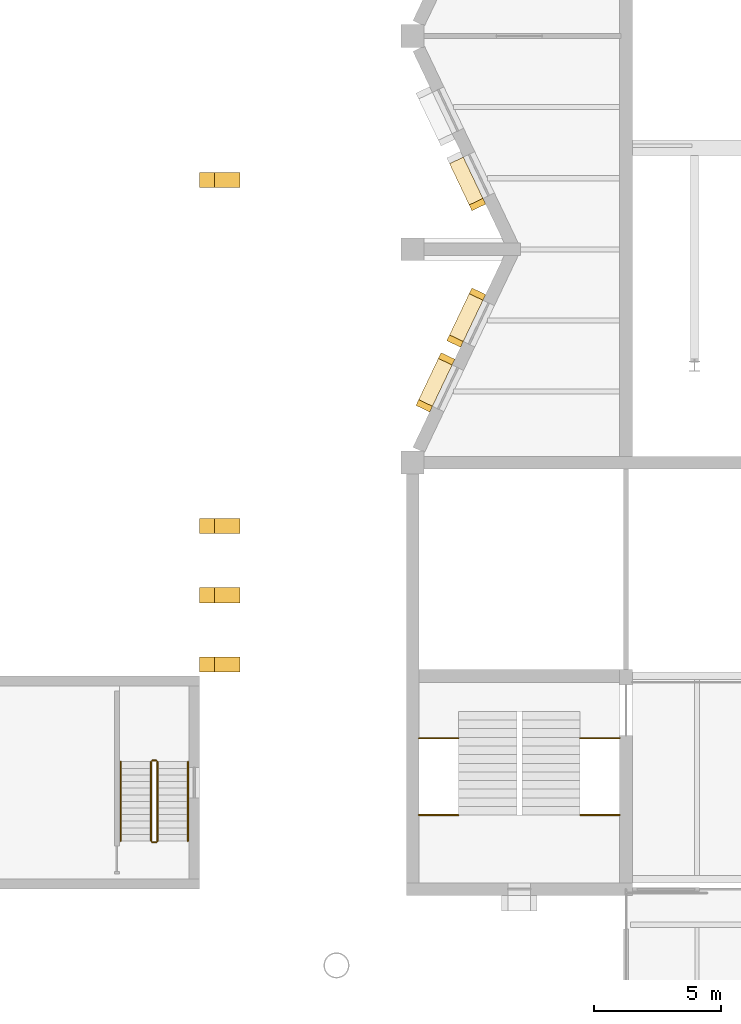
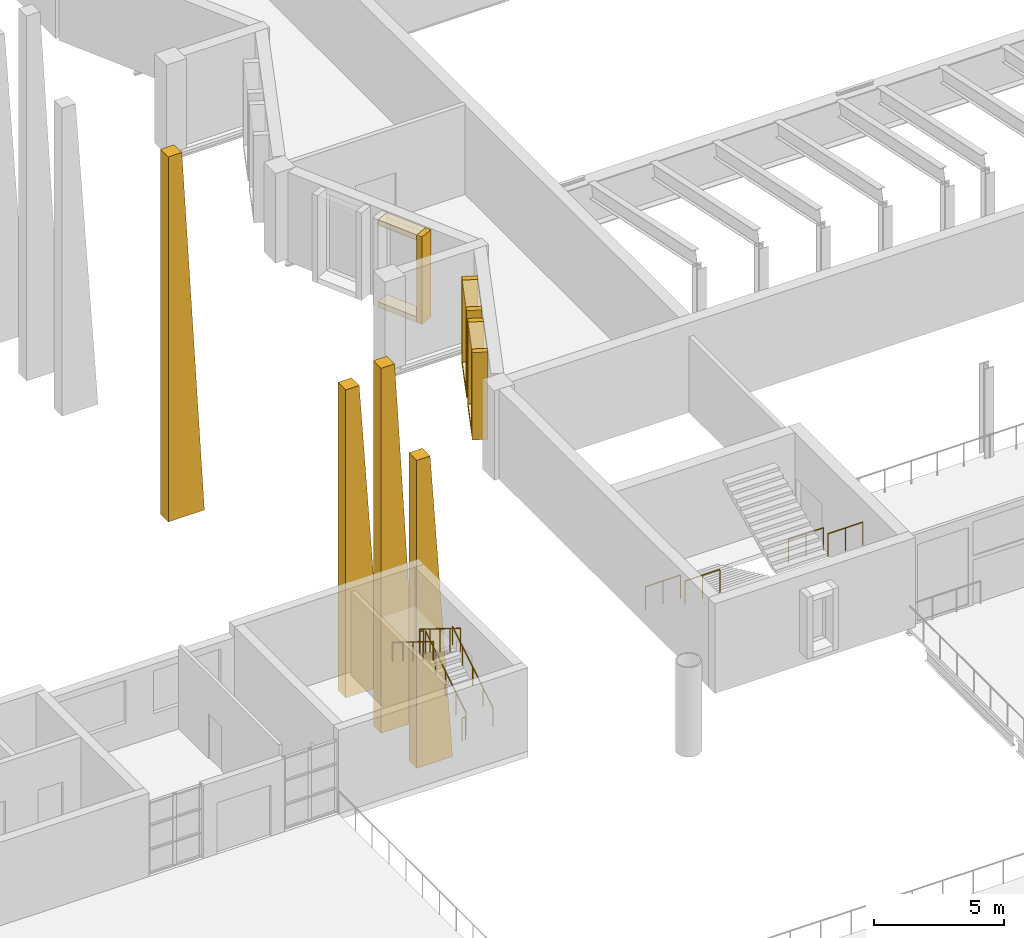
# One storey, part 88 of 96: 15 coverings, 10 railings.
"""IFC4 building model written with IfcOpenShell, lengths in metres."""

from ifc_helpers import new_model, si_unit, direction, frame, origin, origin_2d, place, context, subcontext, project, spatial, polyline, rectangle, circle, outline, extrude, material, type_object, element, save


model = new_model("IFC4")

# Units and contexts
model_context = context("Model", 3, precision=1e-05, world=origin(), true_north=direction((0.0, 1.0)))
body_context = subcontext(model_context, "Body", "Model", "MODEL_VIEW")
ifc_project = project(units=[si_unit("LENGTHUNIT", "METRE"), si_unit("AREAUNIT", "SQUARE_METRE"), si_unit("VOLUMEUNIT", "CUBIC_METRE"), si_unit("PLANEANGLEUNIT", "RADIAN"), si_unit("MASSUNIT", "GRAM", prefix="KILO")], contexts=[model_context])

# Site, building, storey
site_placement = place(None, origin())
site = spatial("IfcSite", under=ifc_project, at=site_placement, CompositionType="ELEMENT")
building_placement = place(site_placement, origin())
building = spatial("IfcBuilding", under=site, at=building_placement, Name="Cresset Court Congress Hotel", CompositionType="ELEMENT")
storey_placement = place(building_placement, frame((0.0, 0.0, 6.0)))
storey = spatial("IfcBuildingStorey", under=building, at=storey_placement, Name="L01", CompositionType="ELEMENT", Elevation=6.0)

# Railings
ifc_material_1 = material(Name="Steel and laminated glass", Category="steel")
railing_type_1 = type_object("IfcRailingType", Name="Guard 1100 steel and glass", PredefinedType="GUARDRAIL", material=ifc_material_1)
for number, where, name in (
    (1, (59.050048828125, 64.75, 0.0), "Guard CC-C1L01a"),
    (2, (65.39990234375, 64.75, 0.0), "Guard CC-C1L01b"),
    (3, (59.050048828125, 61.719970703125, 2.10009765625), "Guard CC-C1L01a"),
    (4, (65.39990234375, 61.719970703125, 2.10009765625), "Guard CC-C1L01b"),
):
    element("IfcRailing", number, at=place(storey_placement, frame(where)), inside=storey, type_object=railing_type_1, Name=name, PredefinedType="GUARDRAIL", context=body_context, shape_type="SweptSolid", body=[
        extrude(circle(Radius=0.02490234375, at=origin_2d()), frame((0.0, 0.0, 1.0751953125), z_axis=(1.0, 0.0, 0.0), x_axis=(0.0, 1.0, 0.0)), (0.0, 0.0, 1.0), 1.550048828125),
        extrude(circle(Radius=0.02001953125, at=origin_2d()), origin(), (0.0, 0.0, 1.0), 1.050048828125),
        extrude(circle(Radius=0.02001953125, at=origin_2d()), frame((0.77490234375, 0.0, 0.0)), (0.0, 0.0, 1.0), 1.050048828125),
        extrude(circle(Radius=0.02001953125, at=origin_2d()), frame((1.550048828125, 0.0, 0.0)), (0.0, 0.0, 1.0), 1.050048828125),
    ])
ifc_material_2 = material(Name="Stainless steel", Category="steel")
railing_type_2 = type_object("IfcRailingType", Name="Handrail 900", PredefinedType="HANDRAIL", material=ifc_material_2)
railing_1_placement = place(storey_placement, frame((49.949951171875, 60.699951171875, 0.16162109375)))
element("IfcRailing", 5, at=railing_1_placement, inside=storey, type_object=railing_type_2, Name="L01 ST-D2 stair handrail 1", PredefinedType="HANDRAIL", context=body_context, shape_type="SweptSolid", body=[
    extrude(circle(Radius=0.02392578125, at=origin_2d()), frame((0.0, 0.0, 0.8759765625), z_axis=(0.0, 0.849414166554, 0.527726798313), x_axis=(-1.0, 0.0, 0.0)), (0.0, 0.0, 1.0), 3.67333984375),
    extrude(circle(Radius=0.02099609375, at=origin_2d()), origin(), (0.0, 0.0, 1.0), 0.851806640625),
    extrude(circle(Radius=0.02099609375, at=origin_2d()), frame((0.0, 0.780029296875, 0.484619140625)), (0.0, 0.0, 1.0), 0.851806640625),
    extrude(circle(Radius=0.02099609375, at=origin_2d()), frame((0.0, 1.56005859375, 0.96923828125)), (0.0, 0.0, 1.0), 0.851806640625),
    extrude(circle(Radius=0.02099609375, at=origin_2d()), frame((0.0, 2.340087890625, 1.453857421875)), (0.0, 0.0, 1.0), 0.851806640625),
    extrude(circle(Radius=0.02099609375, at=origin_2d()), frame((0.0, 3.1201171875, 1.9384765625)), (0.0, 0.0, 1.0), 0.851806640625),
])
railing_2_placement = place(storey_placement, frame((47.300048828125, 63.820068359375, 2.261474609375)))
element("IfcRailing", 6, at=railing_2_placement, inside=storey, type_object=railing_type_2, Name="L01 ST-D2 stair handrail 2", PredefinedType="HANDRAIL", context=body_context, shape_type="SweptSolid", body=[
    extrude(circle(Radius=0.02392578125, at=origin_2d()), frame((0.0, 0.0, 0.8759765625), z_axis=(0.0, -0.849414166554, 0.527726798313), x_axis=(1.0, 0.0, 0.0)), (0.0, 0.0, 1.0), 3.67333984375),
    extrude(circle(Radius=0.02099609375, at=origin_2d()), origin(), (0.0, 0.0, 1.0), 0.851806640625),
    extrude(circle(Radius=0.02099609375, at=origin_2d()), frame((0.0, -0.780029296875, 0.484619140625)), (0.0, 0.0, 1.0), 0.851806640625),
    extrude(circle(Radius=0.02099609375, at=origin_2d()), frame((0.0, -1.56005859375, 0.96923828125)), (0.0, 0.0, 1.0), 0.851806640625),
    extrude(circle(Radius=0.02099609375, at=origin_2d()), frame((0.0, -2.340087890625, 1.453857421875)), (0.0, 0.0, 1.0), 0.851806640625),
    extrude(circle(Radius=0.02099609375, at=origin_2d()), frame((0.0, -3.1201171875, 1.9384765625)), (0.0, 0.0, 1.0), 0.851806640625),
])

# Coverings
ifc_material_3 = material(Name="Precast concrete C50", Category="concrete")
covering_type_1 = type_object("IfcCoveringType", Name="Precast reveal frame member 250x600", PredefinedType="CLADDING", material=ifc_material_3)
covering_1_placement = place(storey_placement, frame((61.351318359375, 85.76318359375, 0.050048828125), z_axis=(0.0, 0.0, 1.0), x_axis=(-0.429932870312, 0.902860856957, 0.0)))
element("IfcCovering", 7, at=covering_1_placement, inside=storey, type_object=covering_type_1, Name="Reveal frame NC-01-W0306a", PredefinedType="CLADDING", context=body_context, shape_type="SweptSolid", body=[
    extrude(rectangle(XDim=0.25, YDim=0.60009765625, at=origin_2d()), origin(), (0.0, 0.0, 1.0), 4.10009765625),
])
for number, where, z_axis, x_axis, name in (
    (8, (60.91064453125, 86.6884765625, 3.89990234375), (0.0, 0.0, 1.0), (-0.429932870312, 0.902860856957, 0.0), "Reveal frame NC-01-W0306c"),
    (9, (60.91064453125, 86.6884765625, 0.050048828125), (0.0, 0.0, 1.0), (-0.429932870312, 0.902860856957, 0.0), "Reveal frame NC-01-W0306d"),
):
    element("IfcCovering", number, at=place(storey_placement, frame(where, z_axis=z_axis, x_axis=x_axis)), inside=storey, type_object=covering_type_1, Name=name, PredefinedType="CLADDING", context=body_context, shape_type="SweptSolid", body=[
        extrude(rectangle(XDim=1.800048828125, YDim=0.60009765625, at=origin_2d()), origin(), (0.0, 0.0, 1.0), 0.25),
    ])
for number, where, z_axis, x_axis, name in (
    (10, (60.469970703125, 80.385986328125, 0.050048828125), (0.0, 0.0, 1.0), (0.429932870312, 0.902860856957, 0.0), "Reveal frame NC-01-W0365a"),
    (11, (61.351318359375, 82.23681640625, 0.050048828125), (0.0, 0.0, 1.0), (0.429932870312, 0.902860856957, 0.0), "Reveal frame NC-01-W0365b"),
):
    element("IfcCovering", number, at=place(storey_placement, frame(where, z_axis=z_axis, x_axis=x_axis)), inside=storey, type_object=covering_type_1, Name=name, PredefinedType="CLADDING", context=body_context, shape_type="SweptSolid", body=[
        extrude(rectangle(XDim=0.25, YDim=0.60009765625, at=origin_2d()), origin(), (0.0, 0.0, 1.0), 4.10009765625),
    ])
for number, where, z_axis, x_axis, name in (
    (12, (60.91064453125, 81.3115234375, 3.89990234375), (0.0, 0.0, 1.0), (0.429932870312, 0.902860856957, 0.0), "Reveal frame NC-01-W0365c"),
    (13, (60.91064453125, 81.3115234375, 0.050048828125), (0.0, 0.0, 1.0), (0.429932870312, 0.902860856957, 0.0), "Reveal frame NC-01-W0365d"),
):
    element("IfcCovering", number, at=place(storey_placement, frame(where, z_axis=z_axis, x_axis=x_axis)), inside=storey, type_object=covering_type_1, Name=name, PredefinedType="CLADDING", context=body_context, shape_type="SweptSolid", body=[
        extrude(rectangle(XDim=1.800048828125, YDim=0.60009765625, at=origin_2d()), origin(), (0.0, 0.0, 1.0), 0.25),
    ])
for number, where, z_axis, x_axis, name in (
    (14, (59.255615234375, 77.8359375, 0.050048828125), (0.0, 0.0, 1.0), (0.429932870312, 0.902860856957, 0.0), "Reveal frame NC-01-W0390a"),
    (15, (60.136962890625, 79.68701171875, 0.050048828125), (0.0, 0.0, 1.0), (0.429932870312, 0.902860856957, 0.0), "Reveal frame NC-01-W0390b"),
):
    element("IfcCovering", number, at=place(storey_placement, frame(where, z_axis=z_axis, x_axis=x_axis)), inside=storey, type_object=covering_type_1, Name=name, PredefinedType="CLADDING", context=body_context, shape_type="SweptSolid", body=[
        extrude(rectangle(XDim=0.25, YDim=0.60009765625, at=origin_2d()), origin(), (0.0, 0.0, 1.0), 4.10009765625),
    ])
for number, where, z_axis, x_axis, name in (
    (16, (59.6962890625, 78.761474609375, 3.89990234375), (0.0, 0.0, 1.0), (0.429932870312, 0.902860856957, 0.0), "Reveal frame NC-01-W0390c"),
    (17, (59.6962890625, 78.761474609375, 0.050048828125), (0.0, 0.0, 1.0), (0.429932870312, 0.902860856957, 0.0), "Reveal frame NC-01-W0390d"),
):
    element("IfcCovering", number, at=place(storey_placement, frame(where, z_axis=z_axis, x_axis=x_axis)), inside=storey, type_object=covering_type_1, Name=name, PredefinedType="CLADDING", context=body_context, shape_type="SweptSolid", body=[
        extrude(rectangle(XDim=1.800048828125, YDim=0.60009765625, at=origin_2d()), origin(), (0.0, 0.0, 1.0), 0.25),
    ])
ifc_material_4 = material(Name="Board-marked concrete C50", Category="concrete")
covering_type_2 = type_object("IfcCoveringType", Name="Raked pier 600", PredefinedType="CLADDING", material=ifc_material_4)
covering_2_placement = place(storey_placement, frame((0.0, 67.64990234375, -6.0)))
element("IfcCovering", 18, at=covering_2_placement, inside=storey, type_object=covering_type_2, Name="Raked pier DB-E1", PredefinedType="CLADDING", context=body_context, shape_type="SweptSolid", body=[
    extrude(outline(polyline([(50.39990234375, 0.0), (52.0, 0.0), (51.0, 14.44677734375), (50.39990234375, 14.44677734375), (50.39990234375, 0.0)])), frame((0.0, 0.300048828125, 0.0), z_axis=(0.0, -1.0, 0.0), x_axis=(1.0, 0.0, 0.0)), (0.0, 0.0, 1.0), 0.60009765625),
])
covering_3_placement = place(storey_placement, frame((0.0, 70.375, -6.0)))
element("IfcCovering", 19, at=covering_3_placement, inside=storey, type_object=covering_type_2, Name="Raked pier DB-E2", PredefinedType="CLADDING", context=body_context, shape_type="SweptSolid", body=[
    extrude(outline(polyline([(50.39990234375, 0.0), (52.0, 0.0), (51.0, 17.116455078125), (50.39990234375, 17.116455078125), (50.39990234375, 0.0)])), frame((0.0, 0.300048828125, 0.0), z_axis=(0.0, -1.0, 0.0), x_axis=(1.0, 0.0, 0.0)), (0.0, 0.0, 1.0), 0.60009765625),
])
covering_4_placement = place(storey_placement, frame((0.0, 73.10009765625, -6.0)))
element("IfcCovering", 20, at=covering_4_placement, inside=storey, type_object=covering_type_2, Name="Raked pier DB-E3", PredefinedType="CLADDING", context=body_context, shape_type="SweptSolid", body=[
    extrude(outline(polyline([(50.39990234375, 0.0), (52.0, 0.0), (51.0, 14.44677734375), (50.39990234375, 14.44677734375), (50.39990234375, 0.0)])), frame((0.0, 0.300048828125, 0.0), z_axis=(0.0, -1.0, 0.0), x_axis=(1.0, 0.0, 0.0)), (0.0, 0.0, 1.0), 0.60009765625),
])
covering_5_placement = place(storey_placement, frame((0.0, 86.72509765625, -6.0)))
element("IfcCovering", 21, at=covering_5_placement, inside=storey, type_object=covering_type_2, Name="Raked pier DB-E8", PredefinedType="CLADDING", context=body_context, shape_type="SweptSolid", body=[
    extrude(outline(polyline([(50.39990234375, 0.0), (52.0, 0.0), (51.0, 17.116455078125), (50.39990234375, 17.116455078125), (50.39990234375, 0.0)])), frame((0.0, 0.300048828125, 0.0), z_axis=(0.0, -1.0, 0.0), x_axis=(1.0, 0.0, 0.0)), (0.0, 0.0, 1.0), 0.60009765625),
])

# Railings
ifc_material_5 = material(Name="Stainless steel", Category="steel")
railing_type_3 = type_object("IfcRailingType", Name="Stair guard 1100 internal", PredefinedType="GUARDRAIL", material=ifc_material_5)
railing_3_placement = place(storey_placement, frame((48.75, 60.699951171875, 0.16162109375)))
element("IfcRailing", 22, at=railing_3_placement, inside=storey, type_object=railing_type_3, Name="L01 ST-D2 stair guard 1", PredefinedType="GUARDRAIL", context=body_context, shape_type="SweptSolid", body=[
    extrude(circle(Radius=0.02392578125, at=origin_2d()), frame((0.0, 0.0, 1.076171875), z_axis=(0.0, 0.849414166554, 0.527726798313), x_axis=(-1.0, 0.0, 0.0)), (0.0, 0.0, 1.0), 3.67333984375),
    extrude(circle(Radius=0.02099609375, at=origin_2d()), origin(), (0.0, 0.0, 1.0), 1.052001953125),
    extrude(circle(Radius=0.02099609375, at=origin_2d()), frame((0.0, 0.780029296875, 0.484619140625)), (0.0, 0.0, 1.0), 1.052001953125),
    extrude(circle(Radius=0.02099609375, at=origin_2d()), frame((0.0, 1.56005859375, 0.96923828125)), (0.0, 0.0, 1.0), 1.052001953125),
    extrude(circle(Radius=0.02099609375, at=origin_2d()), frame((0.0, 2.340087890625, 1.453857421875)), (0.0, 0.0, 1.0), 1.052001953125),
    extrude(circle(Radius=0.02099609375, at=origin_2d()), frame((0.0, 3.1201171875, 1.9384765625)), (0.0, 0.0, 1.0), 1.052001953125),
])
railing_4_placement = place(storey_placement, frame((48.699951171875, 63.8701171875, 2.10009765625)))
element("IfcRailing", 23, at=railing_4_placement, inside=storey, type_object=railing_type_3, Name="L01 ST-D2 stair guard 2", PredefinedType="GUARDRAIL", context=body_context, shape_type="SweptSolid", body=[
    extrude(circle(Radius=0.02392578125, at=origin_2d()), frame((0.0, 0.0, 1.076171875), z_axis=(-1.0, 0.0, 0.0), x_axis=(0.0, -1.0, 0.0)), (0.0, 0.0, 1.0), 0.14990234375),
    extrude(circle(Radius=0.02099609375, at=origin_2d()), origin(), (0.0, 0.0, 1.0), 1.052001953125),
    extrude(circle(Radius=0.02099609375, at=origin_2d()), frame((-0.14990234375, 0.0, 0.0)), (0.0, 0.0, 1.0), 1.052001953125),
])
railing_5_placement = place(storey_placement, frame((48.5, 63.820068359375, 2.261474609375)))
element("IfcRailing", 24, at=railing_5_placement, inside=storey, type_object=railing_type_3, Name="L01 ST-D2 stair guard 3", PredefinedType="GUARDRAIL", context=body_context, shape_type="SweptSolid", body=[
    extrude(circle(Radius=0.02392578125, at=origin_2d()), frame((0.0, 0.0, 1.076171875), z_axis=(0.0, -0.849414166554, 0.527726798313), x_axis=(1.0, 0.0, 0.0)), (0.0, 0.0, 1.0), 3.67333984375),
    extrude(circle(Radius=0.02099609375, at=origin_2d()), origin(), (0.0, 0.0, 1.0), 1.052001953125),
    extrude(circle(Radius=0.02099609375, at=origin_2d()), frame((0.0, -0.780029296875, 0.484619140625)), (0.0, 0.0, 1.0), 1.052001953125),
    extrude(circle(Radius=0.02099609375, at=origin_2d()), frame((0.0, -1.56005859375, 0.96923828125)), (0.0, 0.0, 1.0), 1.052001953125),
    extrude(circle(Radius=0.02099609375, at=origin_2d()), frame((0.0, -2.340087890625, 1.453857421875)), (0.0, 0.0, 1.0), 1.052001953125),
    extrude(circle(Radius=0.02099609375, at=origin_2d()), frame((0.0, -3.1201171875, 1.9384765625)), (0.0, 0.0, 1.0), 1.052001953125),
])
railing_6_placement = place(storey_placement, frame((48.699951171875, 60.64990234375, 0.0)))
element("IfcRailing", 25, at=railing_6_placement, inside=storey, type_object=railing_type_3, Name="L01 ST-D2 stair guard 4", PredefinedType="GUARDRAIL", context=body_context, shape_type="SweptSolid", body=[
    extrude(circle(Radius=0.02392578125, at=origin_2d()), frame((0.0, 0.0, 1.076171875), z_axis=(-1.0, 0.0, 0.0), x_axis=(0.0, -1.0, 0.0)), (0.0, 0.0, 1.0), 0.14990234375),
    extrude(circle(Radius=0.02099609375, at=origin_2d()), origin(), (0.0, 0.0, 1.0), 1.052001953125),
    extrude(circle(Radius=0.02099609375, at=origin_2d()), frame((-0.14990234375, 0.0, 0.0)), (0.0, 0.0, 1.0), 1.052001953125),
])

save(model, "model.ifc")
